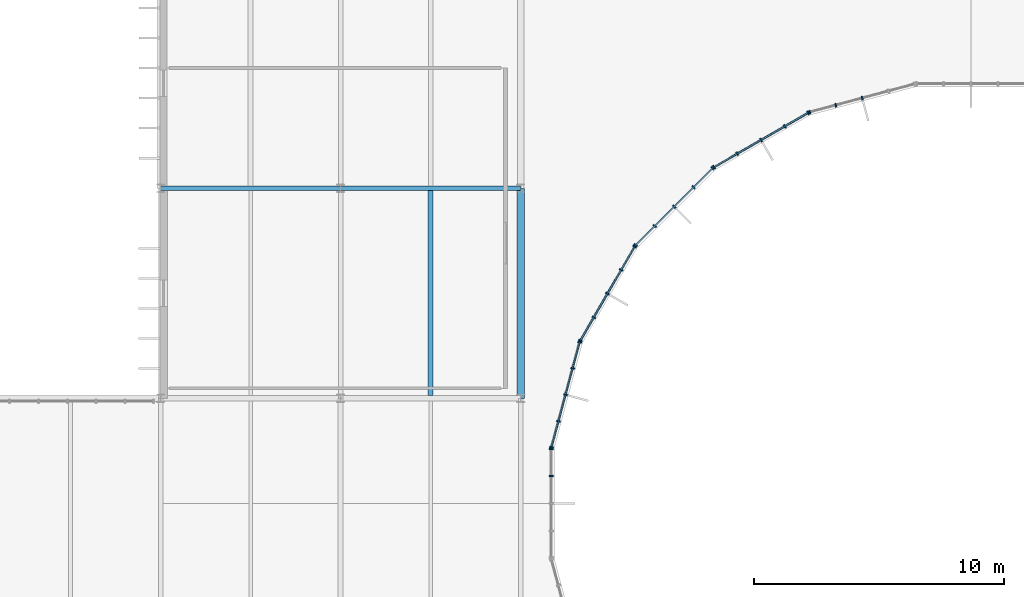
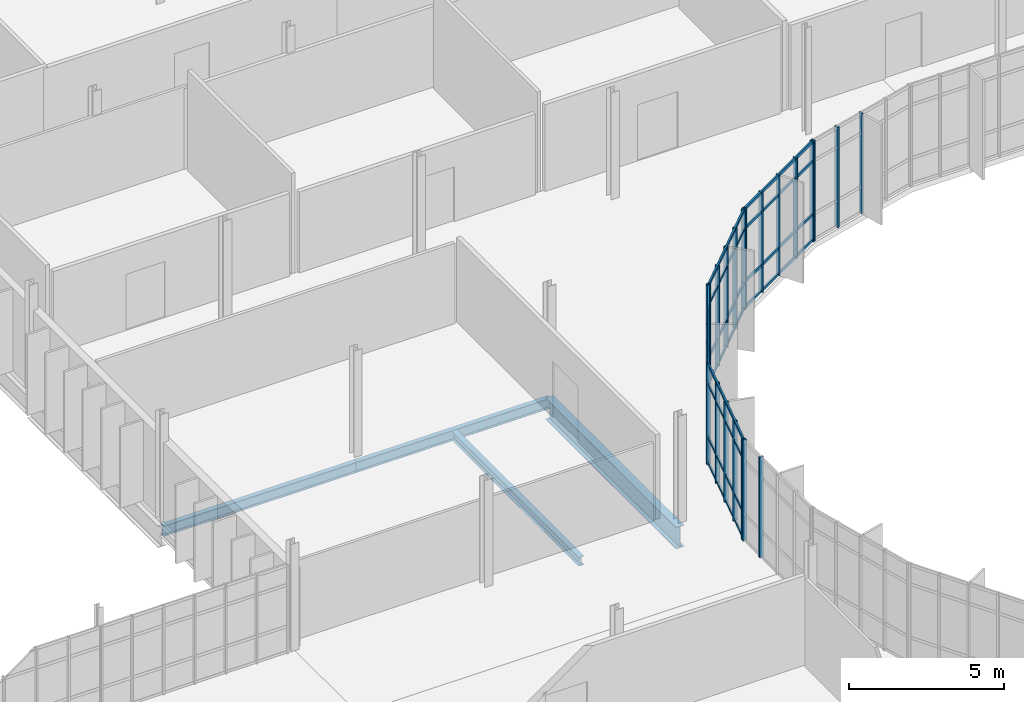
# One storey, part 47 of 99: 41 members, 4 beams, 6 elements without a shape of their own.
"""IFC4 building model written with IfcOpenShell, lengths in metres."""

from ifc_helpers import new_model, si_unit, direction, frame, origin, origin_2d, place, context, subcontext, project, spatial, rectangle, i_section, extrude, material, material_profile, profile_set, type_object, element, aggregate, save


model = new_model("IFC4")

# Units and contexts
model_context = context("Model", 3, precision=1e-05, world=origin(), true_north=direction((0.0, 1.0)))
body_context = subcontext(model_context, "Body", "Model", "MODEL_VIEW")
ifc_project = project(units=[si_unit("LENGTHUNIT", "METRE"), si_unit("AREAUNIT", "SQUARE_METRE"), si_unit("VOLUMEUNIT", "CUBIC_METRE"), si_unit("PLANEANGLEUNIT", "RADIAN"), si_unit("MASSUNIT", "GRAM", prefix="KILO")], contexts=[model_context])

# Site, building, storey
site_placement = place(None, origin())
site = spatial("IfcSite", under=ifc_project, at=site_placement, CompositionType="ELEMENT")
building_placement = place(site_placement, origin())
building = spatial("IfcBuilding", under=site, at=building_placement, Name="Qelthora Terrace Specialist Clinic", CompositionType="ELEMENT")
storey_placement = place(building_placement, frame((0.0, 0.0, 9.0)))
storey = spatial("IfcBuildingStorey", under=building, at=storey_placement, Name="L02", CompositionType="ELEMENT", Elevation=9.0)

# Beams
ifc_material_1 = material(Name="Steel S355", Category="steel")
ifc_material_profile_1 = material_profile(ifc_material_1, i_section(OverallWidth=0.178955078125, OverallDepth=0.409912109375, WebThickness=0.0087890625, FlangeThickness=0.014404296875, FilletRadius=0.011962890625, at=origin_2d()), Name="W410X67")
ifc_profile_set_1 = profile_set([ifc_material_profile_1], Name="Steel S355")
beam_type_1 = type_object("IfcBeamType", Name="BM-W410X67", PredefinedType="BEAM", material=ifc_profile_set_1)
beam_1_placement = place(storey_placement, frame((100.800048828125, 75.60009765625, -0.455078125), z_axis=(1.0, 0.0, 0.0), x_axis=(0.0, 1.0, 0.0)))
element("IfcBeam", 1, at=beam_1_placement, inside=storey, type_object=beam_type_1, Name="Girder BMX-L02-0670", PredefinedType="BEAM", context=body_context, shape_type="SweptSolid", body=[
    extrude(i_section(OverallWidth=0.178955078125, OverallDepth=0.409912109375, WebThickness=0.0087890625, FlangeThickness=0.014404296875, FilletRadius=0.011962890625, at=origin_2d()), origin(), (0.0, 0.0, 1.0), 7.199951171875),
])
ifc_material_profile_2 = material_profile(ifc_material_1, i_section(OverallWidth=0.179931640625, OverallDepth=0.4130859375, WebThickness=0.009765625, FlangeThickness=0.01611328125, FilletRadius=0.011962890625, at=origin_2d()), Name="W410X75")
ifc_profile_set_2 = profile_set([ifc_material_profile_2], Name="Steel S355")
beam_type_2 = type_object("IfcBeamType", Name="BM-W410X75", PredefinedType="BEAM", material=ifc_profile_set_2)
beam_2_placement = place(storey_placement, frame((93.60009765625, 75.60009765625, -0.45654296875), z_axis=(1.0, 0.0, 0.0), x_axis=(0.0, 1.0, 0.0)))
element("IfcBeam", 2, at=beam_2_placement, inside=storey, type_object=beam_type_2, Name="Girder BMX-L02-0669", PredefinedType="BEAM", context=body_context, shape_type="SweptSolid", body=[
    extrude(i_section(OverallWidth=0.179931640625, OverallDepth=0.4130859375, WebThickness=0.009765625, FlangeThickness=0.01611328125, FilletRadius=0.011962890625, at=origin_2d()), origin(), (0.0, 0.0, 1.0), 7.199951171875),
])
ifc_material_profile_3 = material_profile(ifc_material_1, i_section(OverallWidth=0.2939453125, OverallDepth=0.85107421875, WebThickness=0.01611328125, FlangeThickness=0.02685546875, FilletRadius=0.02001953125, at=origin_2d()), Name="W840X226")
ifc_profile_set_3 = profile_set([ifc_material_profile_3], Name="Steel S355")
beam_type_3 = type_object("IfcBeamType", Name="BM-W840X226", PredefinedType="BEAM", material=ifc_profile_set_3)
beam_3_placement = place(storey_placement, frame((108.0, 67.199951171875, -0.675537109375), z_axis=(0.0, 1.0, 0.0), x_axis=(-1.0, 0.0, 0.0)))
element("IfcBeam", 3, at=beam_3_placement, inside=storey, type_object=beam_type_3, Name="Girder BMY-L02-0861", PredefinedType="BEAM", context=body_context, shape_type="SweptSolid", body=[
    extrude(i_section(OverallWidth=0.2939453125, OverallDepth=0.85107421875, WebThickness=0.01611328125, FlangeThickness=0.02685546875, FilletRadius=0.02001953125, at=origin_2d()), origin(), (0.0, 0.0, 1.0), 8.400146484375),
])

# Curtain wall, members
ifc_material_2 = material(Name="Aluminium anodized bronze", Category="aluminium")
curtain_wall_type = type_object("IfcCurtainWallType", Name="CW-CRTE-UPP", PredefinedType="NOTDEFINED", material=ifc_material_2)
curtain_wall_1_placement = place(storey_placement, origin())
curtain_wall_1 = element("IfcCurtainWall", 4, at=curtain_wall_1_placement, inside=storey, type_object=curtain_wall_type, Name="Curtain wall CW-CE-L02-07", PredefinedType="NOTDEFINED")
ifc_material_profile_4 = material_profile(ifc_material_2, rectangle(XDim=0.06005859375, YDim=0.14990234375, at=origin_2d()), Name="CWM60X150")
ifc_profile_set_4 = profile_set([ifc_material_profile_4], Name="Aluminium anodized bronze")
member_type_1 = type_object("IfcMemberType", Name="CWM-60X150", PredefinedType="MULLION", material=ifc_profile_set_4)
member_1_placement = place(storey_placement, frame((121.657958984375, 79.20458984375, 0.0), z_axis=(0.0, 0.0, 1.0), x_axis=(-0.965925660235, -0.258819664824, 0.0)))
member_1 = element("IfcMember", 5, at=member_1_placement, type_object=member_type_1, Name="CW-CE-L02-07 mullion 3", PredefinedType="MULLION", context=body_context, shape_type="SweptSolid", body=[
    extrude(rectangle(XDim=0.06005859375, YDim=0.14990234375, at=origin_2d()), origin(), (0.0, 0.0, 1.0), 3.945068359375),
])
member_2_placement = place(storey_placement, frame((120.598876953125, 78.9208984375, 0.0), z_axis=(0.0, 0.0, 1.0), x_axis=(-0.965925660235, -0.258819664824, 0.0)))
member_2 = element("IfcMember", 6, at=member_2_placement, type_object=member_type_1, Name="CW-CE-L02-07 mullion 4", PredefinedType="MULLION", context=body_context, shape_type="SweptSolid", body=[
    extrude(rectangle(XDim=0.06005859375, YDim=0.14990234375, at=origin_2d()), origin(), (0.0, 0.0, 1.0), 3.945068359375),
])
member_3_placement = place(storey_placement, frame((119.55908203125, 78.642333984375, 0.0), z_axis=(0.0, 0.0, 1.0), x_axis=(-0.965925660235, -0.258819664824, 0.0)))
member_3 = element("IfcMember", 7, at=member_3_placement, type_object=member_type_1, Name="CW-CE-L02-07 mullion 5", PredefinedType="MULLION", context=body_context, shape_type="SweptSolid", body=[
    extrude(rectangle(XDim=0.06005859375, YDim=0.14990234375, at=origin_2d()), origin(), (0.0, 0.0, 1.0), 3.945068359375),
])
aggregate(curtain_wall_1, [member_1, member_2, member_3])

curtain_wall_2_placement = place(storey_placement, origin())
curtain_wall_2 = element("IfcCurtainWall", 8, at=curtain_wall_2_placement, inside=storey, type_object=curtain_wall_type, Name="Curtain wall CW-CE-L02-08", PredefinedType="NOTDEFINED")
member_4_placement = place(storey_placement, frame((119.49365234375, 78.614990234375, 0.0), z_axis=(0.0, 0.0, 1.0), x_axis=(-0.86602538709, -0.500000028915, 0.0)))
member_4 = element("IfcMember", 9, at=member_4_placement, type_object=member_type_1, Name="CW-CE-L02-08 mullion 1", PredefinedType="MULLION", context=body_context, shape_type="SweptSolid", body=[
    extrude(rectangle(XDim=0.06005859375, YDim=0.14990234375, at=origin_2d()), origin(), (0.0, 0.0, 1.0), 3.945068359375),
])
member_5_placement = place(storey_placement, frame((118.561279296875, 78.076904296875, 0.0), z_axis=(0.0, 0.0, 1.0), x_axis=(-0.86602538709, -0.500000028915, 0.0)))
member_5 = element("IfcMember", 10, at=member_5_placement, type_object=member_type_1, Name="CW-CE-L02-08 mullion 2", PredefinedType="MULLION", context=body_context, shape_type="SweptSolid", body=[
    extrude(rectangle(XDim=0.06005859375, YDim=0.14990234375, at=origin_2d()), origin(), (0.0, 0.0, 1.0), 3.945068359375),
])
member_6_placement = place(storey_placement, frame((117.61181640625, 77.528564453125, 0.0), z_axis=(0.0, 0.0, 1.0), x_axis=(-0.86602538709, -0.500000028915, 0.0)))
member_6 = element("IfcMember", 11, at=member_6_placement, type_object=member_type_1, Name="CW-CE-L02-08 mullion 3", PredefinedType="MULLION", context=body_context, shape_type="SweptSolid", body=[
    extrude(rectangle(XDim=0.06005859375, YDim=0.14990234375, at=origin_2d()), origin(), (0.0, 0.0, 1.0), 3.945068359375),
])
member_7_placement = place(storey_placement, frame((116.662353515625, 76.98046875, 0.0), z_axis=(0.0, 0.0, 1.0), x_axis=(-0.86602538709, -0.500000028915, 0.0)))
member_7 = element("IfcMember", 12, at=member_7_placement, type_object=member_type_1, Name="CW-CE-L02-08 mullion 4", PredefinedType="MULLION", context=body_context, shape_type="SweptSolid", body=[
    extrude(rectangle(XDim=0.06005859375, YDim=0.14990234375, at=origin_2d()), origin(), (0.0, 0.0, 1.0), 3.945068359375),
])
member_8_placement = place(storey_placement, frame((115.730224609375, 76.442138671875, 0.0), z_axis=(0.0, 0.0, 1.0), x_axis=(-0.86602538709, -0.500000028915, 0.0)))
member_8 = element("IfcMember", 13, at=member_8_placement, type_object=member_type_1, Name="CW-CE-L02-08 mullion 5", PredefinedType="MULLION", context=body_context, shape_type="SweptSolid", body=[
    extrude(rectangle(XDim=0.06005859375, YDim=0.14990234375, at=origin_2d()), origin(), (0.0, 0.0, 1.0), 3.945068359375),
])

curtain_wall_3_placement = place(storey_placement, origin())
curtain_wall_3 = element("IfcCurtainWall", 14, at=curtain_wall_3_placement, inside=storey, type_object=curtain_wall_type, Name="Curtain wall CW-CE-L02-09", PredefinedType="NOTDEFINED")
member_9_placement = place(storey_placement, frame((115.673828125, 76.399169921875, 0.0), z_axis=(0.0, 0.0, 1.0), x_axis=(-0.707106781187, -0.707106781187, 0.0)))
member_9 = element("IfcMember", 15, at=member_9_placement, type_object=member_type_1, Name="CW-CE-L02-09 mullion 1", PredefinedType="MULLION", context=body_context, shape_type="SweptSolid", body=[
    extrude(rectangle(XDim=0.06005859375, YDim=0.14990234375, at=origin_2d()), origin(), (0.0, 0.0, 1.0), 3.945068359375),
])
member_10_placement = place(storey_placement, frame((114.91259765625, 75.637939453125, 0.0), z_axis=(0.0, 0.0, 1.0), x_axis=(-0.707106781187, -0.707106781187, 0.0)))
member_10 = element("IfcMember", 16, at=member_10_placement, type_object=member_type_1, Name="CW-CE-L02-09 mullion 2", PredefinedType="MULLION", context=body_context, shape_type="SweptSolid", body=[
    extrude(rectangle(XDim=0.06005859375, YDim=0.14990234375, at=origin_2d()), origin(), (0.0, 0.0, 1.0), 3.945068359375),
])
member_11_placement = place(storey_placement, frame((114.137451171875, 74.862548828125, 0.0), z_axis=(0.0, 0.0, 1.0), x_axis=(-0.707106781187, -0.707106781187, 0.0)))
member_11 = element("IfcMember", 17, at=member_11_placement, type_object=member_type_1, Name="CW-CE-L02-09 mullion 3", PredefinedType="MULLION", context=body_context, shape_type="SweptSolid", body=[
    extrude(rectangle(XDim=0.06005859375, YDim=0.14990234375, at=origin_2d()), origin(), (0.0, 0.0, 1.0), 3.945068359375),
])
member_12_placement = place(storey_placement, frame((113.362060546875, 74.08740234375, 0.0), z_axis=(0.0, 0.0, 1.0), x_axis=(-0.707106781187, -0.707106781187, 0.0)))
member_12 = element("IfcMember", 18, at=member_12_placement, type_object=member_type_1, Name="CW-CE-L02-09 mullion 4", PredefinedType="MULLION", context=body_context, shape_type="SweptSolid", body=[
    extrude(rectangle(XDim=0.06005859375, YDim=0.14990234375, at=origin_2d()), origin(), (0.0, 0.0, 1.0), 3.945068359375),
])
member_13_placement = place(storey_placement, frame((112.600830078125, 73.326171875, 0.0), z_axis=(0.0, 0.0, 1.0), x_axis=(-0.707106781187, -0.707106781187, 0.0)))
member_13 = element("IfcMember", 19, at=member_13_placement, type_object=member_type_1, Name="CW-CE-L02-09 mullion 5", PredefinedType="MULLION", context=body_context, shape_type="SweptSolid", body=[
    extrude(rectangle(XDim=0.06005859375, YDim=0.14990234375, at=origin_2d()), origin(), (0.0, 0.0, 1.0), 3.945068359375),
])

curtain_wall_4_placement = place(storey_placement, origin())
curtain_wall_4 = element("IfcCurtainWall", 20, at=curtain_wall_4_placement, inside=storey, type_object=curtain_wall_type, Name="Curtain wall CW-CE-L02-10", PredefinedType="NOTDEFINED")
member_14_placement = place(storey_placement, frame((112.557861328125, 73.269775390625, 0.0), z_axis=(0.0, 0.0, 1.0), x_axis=(-0.500000028915, -0.86602538709, 0.0)))
member_14 = element("IfcMember", 21, at=member_14_placement, type_object=member_type_1, Name="CW-CE-L02-10 mullion 1", PredefinedType="MULLION", context=body_context, shape_type="SweptSolid", body=[
    extrude(rectangle(XDim=0.06005859375, YDim=0.14990234375, at=origin_2d()), origin(), (0.0, 0.0, 1.0), 3.945068359375),
])
member_15_placement = place(storey_placement, frame((112.01953125, 72.337646484375, 0.0), z_axis=(0.0, 0.0, 1.0), x_axis=(-0.500000028915, -0.86602538709, 0.0)))
member_15 = element("IfcMember", 22, at=member_15_placement, type_object=member_type_1, Name="CW-CE-L02-10 mullion 2", PredefinedType="MULLION", context=body_context, shape_type="SweptSolid", body=[
    extrude(rectangle(XDim=0.06005859375, YDim=0.14990234375, at=origin_2d()), origin(), (0.0, 0.0, 1.0), 3.945068359375),
])
member_16_placement = place(storey_placement, frame((111.471435546875, 71.38818359375, 0.0), z_axis=(0.0, 0.0, 1.0), x_axis=(-0.500000028915, -0.86602538709, 0.0)))
member_16 = element("IfcMember", 23, at=member_16_placement, type_object=member_type_1, Name="CW-CE-L02-10 mullion 3", PredefinedType="MULLION", context=body_context, shape_type="SweptSolid", body=[
    extrude(rectangle(XDim=0.06005859375, YDim=0.14990234375, at=origin_2d()), origin(), (0.0, 0.0, 1.0), 3.945068359375),
])
member_17_placement = place(storey_placement, frame((110.923095703125, 70.438720703125, 0.0), z_axis=(0.0, 0.0, 1.0), x_axis=(-0.500000028915, -0.86602538709, 0.0)))
member_17 = element("IfcMember", 24, at=member_17_placement, type_object=member_type_1, Name="CW-CE-L02-10 mullion 4", PredefinedType="MULLION", context=body_context, shape_type="SweptSolid", body=[
    extrude(rectangle(XDim=0.06005859375, YDim=0.14990234375, at=origin_2d()), origin(), (0.0, 0.0, 1.0), 3.945068359375),
])
member_18_placement = place(storey_placement, frame((110.385009765625, 69.50634765625, 0.0), z_axis=(0.0, 0.0, 1.0), x_axis=(-0.500000028915, -0.86602538709, 0.0)))
member_18 = element("IfcMember", 25, at=member_18_placement, type_object=member_type_1, Name="CW-CE-L02-10 mullion 5", PredefinedType="MULLION", context=body_context, shape_type="SweptSolid", body=[
    extrude(rectangle(XDim=0.06005859375, YDim=0.14990234375, at=origin_2d()), origin(), (0.0, 0.0, 1.0), 3.945068359375),
])

curtain_wall_5_placement = place(storey_placement, origin())
curtain_wall_5 = element("IfcCurtainWall", 26, at=curtain_wall_5_placement, inside=storey, type_object=curtain_wall_type, Name="Curtain wall CW-CE-L02-11", PredefinedType="NOTDEFINED")
member_19_placement = place(storey_placement, frame((110.357666015625, 69.44091796875, 0.0), z_axis=(0.0, 0.0, 1.0), x_axis=(-0.258819664824, -0.965925660235, 0.0)))
member_19 = element("IfcMember", 27, at=member_19_placement, type_object=member_type_1, Name="CW-CE-L02-11 mullion 1", PredefinedType="MULLION", context=body_context, shape_type="SweptSolid", body=[
    extrude(rectangle(XDim=0.06005859375, YDim=0.14990234375, at=origin_2d()), origin(), (0.0, 0.0, 1.0), 3.945068359375),
])
member_20_placement = place(storey_placement, frame((110.0791015625, 68.401123046875, 0.0), z_axis=(0.0, 0.0, 1.0), x_axis=(-0.258819664824, -0.965925660235, 0.0)))
member_20 = element("IfcMember", 28, at=member_20_placement, type_object=member_type_1, Name="CW-CE-L02-11 mullion 2", PredefinedType="MULLION", context=body_context, shape_type="SweptSolid", body=[
    extrude(rectangle(XDim=0.06005859375, YDim=0.14990234375, at=origin_2d()), origin(), (0.0, 0.0, 1.0), 3.945068359375),
])
member_21_placement = place(storey_placement, frame((109.79541015625, 67.342041015625, 0.0), z_axis=(0.0, 0.0, 1.0), x_axis=(-0.258819664824, -0.965925660235, 0.0)))
member_21 = element("IfcMember", 29, at=member_21_placement, type_object=member_type_1, Name="CW-CE-L02-11 mullion 3", PredefinedType="MULLION", context=body_context, shape_type="SweptSolid", body=[
    extrude(rectangle(XDim=0.06005859375, YDim=0.14990234375, at=origin_2d()), origin(), (0.0, 0.0, 1.0), 3.945068359375),
])
member_22_placement = place(storey_placement, frame((109.511474609375, 66.282958984375, 0.0), z_axis=(0.0, 0.0, 1.0), x_axis=(-0.258819664824, -0.965925660235, 0.0)))
member_22 = element("IfcMember", 30, at=member_22_placement, type_object=member_type_1, Name="CW-CE-L02-11 mullion 4", PredefinedType="MULLION", context=body_context, shape_type="SweptSolid", body=[
    extrude(rectangle(XDim=0.06005859375, YDim=0.14990234375, at=origin_2d()), origin(), (0.0, 0.0, 1.0), 3.945068359375),
])
member_23_placement = place(storey_placement, frame((109.23291015625, 65.2431640625, 0.0), z_axis=(0.0, 0.0, 1.0), x_axis=(-0.258819664824, -0.965925660235, 0.0)))
member_23 = element("IfcMember", 31, at=member_23_placement, type_object=member_type_1, Name="CW-CE-L02-11 mullion 5", PredefinedType="MULLION", context=body_context, shape_type="SweptSolid", body=[
    extrude(rectangle(XDim=0.06005859375, YDim=0.14990234375, at=origin_2d()), origin(), (0.0, 0.0, 1.0), 3.945068359375),
])

curtain_wall_6_placement = place(storey_placement, origin())
curtain_wall_6 = element("IfcCurtainWall", 32, at=curtain_wall_6_placement, inside=storey, type_object=curtain_wall_type, Name="Curtain wall CW-CE-L02-12", PredefinedType="NOTDEFINED")
member_24_placement = place(storey_placement, frame((109.2236328125, 65.1728515625, 0.0), z_axis=(0.0, 0.0, 1.0), x_axis=(0.0, -1.0, 0.0)))
member_24 = element("IfcMember", 33, at=member_24_placement, type_object=member_type_1, Name="CW-CE-L02-12 mullion 1", PredefinedType="MULLION", context=body_context, shape_type="SweptSolid", body=[
    extrude(rectangle(XDim=0.06005859375, YDim=0.14990234375, at=origin_2d()), origin(), (0.0, 0.0, 1.0), 3.945068359375),
])
member_25_placement = place(storey_placement, frame((109.2236328125, 64.096435546875, 0.0), z_axis=(0.0, 0.0, 1.0), x_axis=(0.0, -1.0, 0.0)))
member_25 = element("IfcMember", 34, at=member_25_placement, type_object=member_type_1, Name="CW-CE-L02-12 mullion 2", PredefinedType="MULLION", context=body_context, shape_type="SweptSolid", body=[
    extrude(rectangle(XDim=0.06005859375, YDim=0.14990234375, at=origin_2d()), origin(), (0.0, 0.0, 1.0), 3.945068359375),
])
aggregate(curtain_wall_6, [member_24, member_25])

# Member
ifc_material_profile_5 = material_profile(ifc_material_2, rectangle(XDim=0.06005859375, YDim=0.110107421875, at=origin_2d()), Name="CWT60X110")
ifc_profile_set_5 = profile_set([ifc_material_profile_5], Name="Aluminium anodized bronze")
member_type_2 = type_object("IfcMemberType", Name="CWT-60X110", PredefinedType="USERDEFINED", material=ifc_profile_set_5)
member_26_placement = place(storey_placement, frame((119.476318359375, 78.60498046875, 0.0400390625), z_axis=(-0.866022228109, -0.500005500391, 0.0), x_axis=(0.500005500391, -0.866022228109, 0.0)))
member_26 = element("IfcMember", 35, at=member_26_placement, type_object=member_type_2, Name="CW-CE-L02-08 transom 1", ObjectType="TRANSOM", PredefinedType="USERDEFINED", context=body_context, shape_type="SweptSolid", body=[
    extrude(rectangle(XDim=0.06005859375, YDim=0.110107421875, at=origin_2d()), origin(), (0.0, 0.0, 1.0), 4.3056640625),
])

member_27_placement = place(storey_placement, frame((119.476318359375, 78.60498046875, 1.050048828125), z_axis=(-0.866022228109, -0.500005500391, 0.0), x_axis=(0.500005500391, -0.866022228109, 0.0)))
member_27 = element("IfcMember", 36, at=member_27_placement, type_object=member_type_2, Name="CW-CE-L02-08 transom 2", ObjectType="TRANSOM", PredefinedType="USERDEFINED", context=body_context, shape_type="SweptSolid", body=[
    extrude(rectangle(XDim=0.06005859375, YDim=0.110107421875, at=origin_2d()), origin(), (0.0, 0.0, 1.0), 4.3056640625),
])

member_28_placement = place(storey_placement, frame((119.476318359375, 78.60498046875, 3.14501953125), z_axis=(-0.866022228109, -0.500005500391, 0.0), x_axis=(0.500005500391, -0.866022228109, 0.0)))
member_28 = element("IfcMember", 37, at=member_28_placement, type_object=member_type_2, Name="CW-CE-L02-08 transom 3", ObjectType="TRANSOM", PredefinedType="USERDEFINED", context=body_context, shape_type="SweptSolid", body=[
    extrude(rectangle(XDim=0.06005859375, YDim=0.110107421875, at=origin_2d()), origin(), (0.0, 0.0, 1.0), 4.3056640625),
])

member_29_placement = place(storey_placement, frame((119.476318359375, 78.60498046875, 3.905029296875), z_axis=(-0.866022228109, -0.500005500391, 0.0), x_axis=(0.500005500391, -0.866022228109, 0.0)))
member_29 = element("IfcMember", 38, at=member_29_placement, type_object=member_type_2, Name="CW-CE-L02-08 transom 4", ObjectType="TRANSOM", PredefinedType="USERDEFINED", context=body_context, shape_type="SweptSolid", body=[
    extrude(rectangle(XDim=0.06005859375, YDim=0.110107421875, at=origin_2d()), origin(), (0.0, 0.0, 1.0), 4.3056640625),
])

aggregate(curtain_wall_2, [member_4, member_5, member_6, member_7, member_8, member_26, member_27, member_28, member_29])

member_30_placement = place(storey_placement, frame((115.65966796875, 76.385009765625, 0.0400390625), z_axis=(-0.707106781187, -0.707106781187, 0.0), x_axis=(0.707106781187, -0.707106781187, 0.0)))
member_30 = element("IfcMember", 39, at=member_30_placement, type_object=member_type_2, Name="CW-CE-L02-09 transom 1", ObjectType="TRANSOM", PredefinedType="USERDEFINED", context=body_context, shape_type="SweptSolid", body=[
    extrude(rectangle(XDim=0.06005859375, YDim=0.110107421875, at=origin_2d()), origin(), (0.0, 0.0, 1.0), 4.305908203125),
])

member_31_placement = place(storey_placement, frame((115.65966796875, 76.385009765625, 1.050048828125), z_axis=(-0.707106781187, -0.707106781187, 0.0), x_axis=(0.707106781187, -0.707106781187, 0.0)))
member_31 = element("IfcMember", 40, at=member_31_placement, type_object=member_type_2, Name="CW-CE-L02-09 transom 2", ObjectType="TRANSOM", PredefinedType="USERDEFINED", context=body_context, shape_type="SweptSolid", body=[
    extrude(rectangle(XDim=0.06005859375, YDim=0.110107421875, at=origin_2d()), origin(), (0.0, 0.0, 1.0), 4.305908203125),
])

member_32_placement = place(storey_placement, frame((115.65966796875, 76.385009765625, 3.14501953125), z_axis=(-0.707106781187, -0.707106781187, 0.0), x_axis=(0.707106781187, -0.707106781187, 0.0)))
member_32 = element("IfcMember", 41, at=member_32_placement, type_object=member_type_2, Name="CW-CE-L02-09 transom 3", ObjectType="TRANSOM", PredefinedType="USERDEFINED", context=body_context, shape_type="SweptSolid", body=[
    extrude(rectangle(XDim=0.06005859375, YDim=0.110107421875, at=origin_2d()), origin(), (0.0, 0.0, 1.0), 4.305908203125),
])

member_33_placement = place(storey_placement, frame((115.65966796875, 76.385009765625, 3.905029296875), z_axis=(-0.707106781187, -0.707106781187, 0.0), x_axis=(0.707106781187, -0.707106781187, 0.0)))
member_33 = element("IfcMember", 42, at=member_33_placement, type_object=member_type_2, Name="CW-CE-L02-09 transom 4", ObjectType="TRANSOM", PredefinedType="USERDEFINED", context=body_context, shape_type="SweptSolid", body=[
    extrude(rectangle(XDim=0.06005859375, YDim=0.110107421875, at=origin_2d()), origin(), (0.0, 0.0, 1.0), 4.305908203125),
])

aggregate(curtain_wall_3, [member_9, member_10, member_11, member_12, member_13, member_30, member_31, member_32, member_33])

member_34_placement = place(storey_placement, frame((112.5478515625, 73.25244140625, 0.0400390625), z_axis=(-0.500005500391, -0.866022228109, 0.0), x_axis=(0.866022228109, -0.500005500391, 0.0)))
member_34 = element("IfcMember", 43, at=member_34_placement, type_object=member_type_2, Name="CW-CE-L02-10 transom 1", ObjectType="TRANSOM", PredefinedType="USERDEFINED", context=body_context, shape_type="SweptSolid", body=[
    extrude(rectangle(XDim=0.06005859375, YDim=0.110107421875, at=origin_2d()), origin(), (0.0, 0.0, 1.0), 4.3056640625),
])

member_35_placement = place(storey_placement, frame((112.5478515625, 73.25244140625, 1.050048828125), z_axis=(-0.500005500391, -0.866022228109, 0.0), x_axis=(0.866022228109, -0.500005500391, 0.0)))
member_35 = element("IfcMember", 44, at=member_35_placement, type_object=member_type_2, Name="CW-CE-L02-10 transom 2", ObjectType="TRANSOM", PredefinedType="USERDEFINED", context=body_context, shape_type="SweptSolid", body=[
    extrude(rectangle(XDim=0.06005859375, YDim=0.110107421875, at=origin_2d()), origin(), (0.0, 0.0, 1.0), 4.3056640625),
])

member_36_placement = place(storey_placement, frame((112.5478515625, 73.25244140625, 3.14501953125), z_axis=(-0.500005500391, -0.866022228109, 0.0), x_axis=(0.866022228109, -0.500005500391, 0.0)))
member_36 = element("IfcMember", 45, at=member_36_placement, type_object=member_type_2, Name="CW-CE-L02-10 transom 3", ObjectType="TRANSOM", PredefinedType="USERDEFINED", context=body_context, shape_type="SweptSolid", body=[
    extrude(rectangle(XDim=0.06005859375, YDim=0.110107421875, at=origin_2d()), origin(), (0.0, 0.0, 1.0), 4.3056640625),
])

member_37_placement = place(storey_placement, frame((112.5478515625, 73.25244140625, 3.905029296875), z_axis=(-0.500005500391, -0.866022228109, 0.0), x_axis=(0.866022228109, -0.500005500391, 0.0)))
member_37 = element("IfcMember", 46, at=member_37_placement, type_object=member_type_2, Name="CW-CE-L02-10 transom 4", ObjectType="TRANSOM", PredefinedType="USERDEFINED", context=body_context, shape_type="SweptSolid", body=[
    extrude(rectangle(XDim=0.06005859375, YDim=0.110107421875, at=origin_2d()), origin(), (0.0, 0.0, 1.0), 4.3056640625),
])

aggregate(curtain_wall_4, [member_14, member_15, member_16, member_17, member_18, member_34, member_35, member_36, member_37])

member_38_placement = place(storey_placement, frame((110.3525390625, 69.42138671875, 0.0400390625), z_axis=(-0.25879182601, -0.965933119212, 0.0), x_axis=(0.965933119212, -0.25879182601, 0.0)))
member_38 = element("IfcMember", 47, at=member_38_placement, type_object=member_type_2, Name="CW-CE-L02-11 transom 1", ObjectType="TRANSOM", PredefinedType="USERDEFINED", context=body_context, shape_type="SweptSolid", body=[
    extrude(rectangle(XDim=0.06005859375, YDim=0.110107421875, at=origin_2d()), origin(), (0.0, 0.0, 1.0), 4.3056640625),
])

member_39_placement = place(storey_placement, frame((110.3525390625, 69.42138671875, 1.050048828125), z_axis=(-0.25879182601, -0.965933119212, 0.0), x_axis=(0.965933119212, -0.25879182601, 0.0)))
member_39 = element("IfcMember", 48, at=member_39_placement, type_object=member_type_2, Name="CW-CE-L02-11 transom 2", ObjectType="TRANSOM", PredefinedType="USERDEFINED", context=body_context, shape_type="SweptSolid", body=[
    extrude(rectangle(XDim=0.06005859375, YDim=0.110107421875, at=origin_2d()), origin(), (0.0, 0.0, 1.0), 4.3056640625),
])

member_40_placement = place(storey_placement, frame((110.3525390625, 69.42138671875, 3.14501953125), z_axis=(-0.25879182601, -0.965933119212, 0.0), x_axis=(0.965933119212, -0.25879182601, 0.0)))
member_40 = element("IfcMember", 49, at=member_40_placement, type_object=member_type_2, Name="CW-CE-L02-11 transom 3", ObjectType="TRANSOM", PredefinedType="USERDEFINED", context=body_context, shape_type="SweptSolid", body=[
    extrude(rectangle(XDim=0.06005859375, YDim=0.110107421875, at=origin_2d()), origin(), (0.0, 0.0, 1.0), 4.3056640625),
])

member_41_placement = place(storey_placement, frame((110.3525390625, 69.42138671875, 3.905029296875), z_axis=(-0.25879182601, -0.965933119212, 0.0), x_axis=(0.965933119212, -0.25879182601, 0.0)))
member_41 = element("IfcMember", 50, at=member_41_placement, type_object=member_type_2, Name="CW-CE-L02-11 transom 4", ObjectType="TRANSOM", PredefinedType="USERDEFINED", context=body_context, shape_type="SweptSolid", body=[
    extrude(rectangle(XDim=0.06005859375, YDim=0.110107421875, at=origin_2d()), origin(), (0.0, 0.0, 1.0), 4.3056640625),
])

aggregate(curtain_wall_5, [member_19, member_20, member_21, member_22, member_23, member_38, member_39, member_40, member_41])

# Beam
ifc_material_profile_6 = material_profile(ifc_material_1, i_section(OverallWidth=0.202880859375, OverallDepth=0.346923828125, WebThickness=0.0078125, FlangeThickness=0.013427734375, FilletRadius=0.010986328125, at=origin_2d()), Name="W360X64")
ifc_profile_set_6 = profile_set([ifc_material_profile_6], Name="Steel S355")
beam_type_4 = type_object("IfcBeamType", Name="JST-W360X64", PredefinedType="JOIST", material=ifc_profile_set_6)
beam_4_placement = place(storey_placement, frame((104.39990234375, 67.314453125, -0.423583984375), z_axis=(0.0, 1.0, 0.0), x_axis=(-1.0, 0.0, 0.0)))
element("IfcBeam", 51, at=beam_4_placement, inside=storey, type_object=beam_type_4, Name="Composite floor joist JST-L02-0193", PredefinedType="JOIST", context=body_context, shape_type="SweptSolid", body=[
    extrude(i_section(OverallWidth=0.202880859375, OverallDepth=0.346923828125, WebThickness=0.0078125, FlangeThickness=0.013427734375, FilletRadius=0.010986328125, at=origin_2d()), origin(), (0.0, 0.0, 1.0), 8.196044921875),
])

save(model, "model.ifc")
